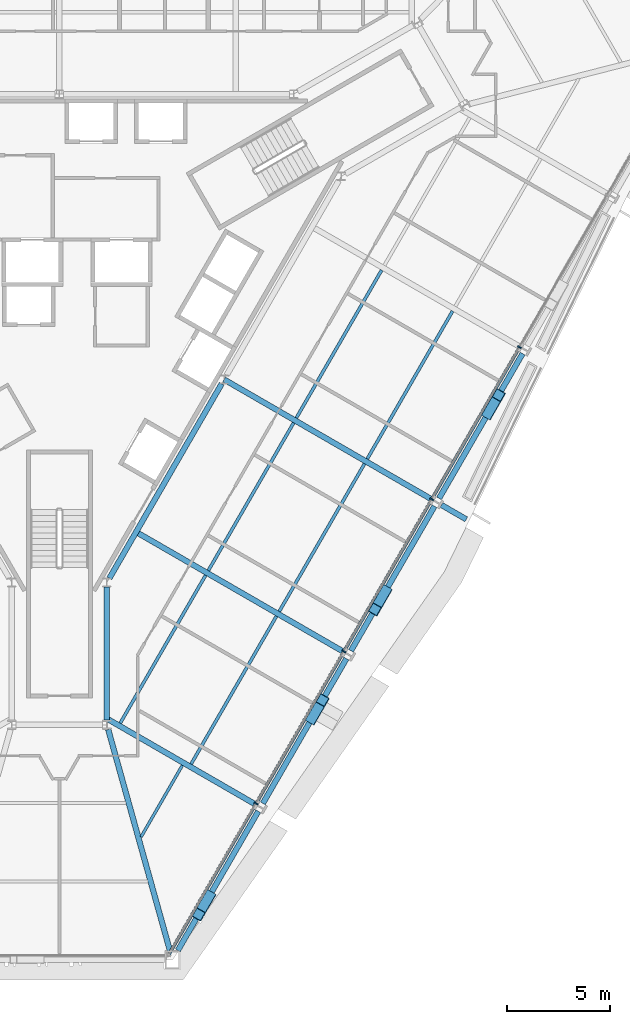
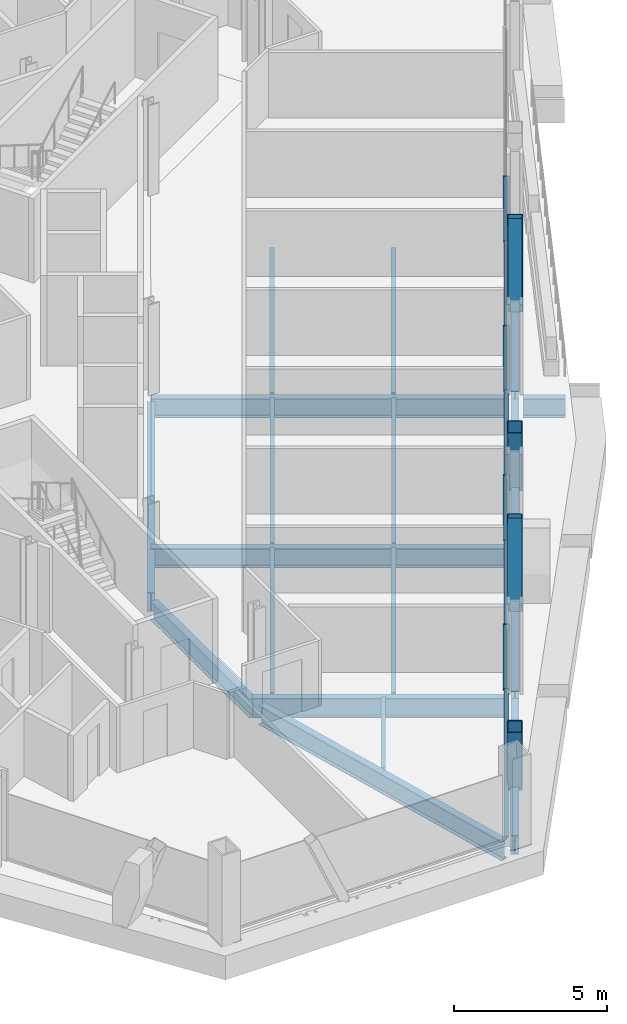
# One storey, part 4 of 17: 18 beams, 12 members, 1 element without a shape of its own.
"""IFC4 building model written with IfcOpenShell, lengths in metres."""

from ifc_helpers import new_model, si_unit, direction, frame, origin, origin_2d, place, context, subcontext, project, spatial, rectangle, hollow_rectangle, i_section, extrude, material, material_profile, profile_set, type_object, element, aggregate, save


model = new_model("IFC4")

# Units and contexts
model_context = context("Model", 3, precision=1e-05, world=origin(), true_north=direction((0.0, 1.0)))
body_context = subcontext(model_context, "Body", "Model", "MODEL_VIEW")
ifc_project = project(units=[si_unit("LENGTHUNIT", "METRE"), si_unit("AREAUNIT", "SQUARE_METRE"), si_unit("VOLUMEUNIT", "CUBIC_METRE"), si_unit("PLANEANGLEUNIT", "RADIAN"), si_unit("MASSUNIT", "GRAM", prefix="KILO")], contexts=[model_context])

# Site, building, storey
site_placement = place(None, origin())
site = spatial("IfcSite", under=ifc_project, at=site_placement, CompositionType="ELEMENT")
building_placement = place(site_placement, origin())
building = spatial("IfcBuilding", under=site, at=building_placement, Name="Verrane Prism Tower", CompositionType="ELEMENT")
storey_placement = place(building_placement, frame((0.0, 0.0, 51.199951171875)))
storey = spatial("IfcBuildingStorey", under=building, at=storey_placement, Name="L10", CompositionType="ELEMENT", Elevation=51.199951171875)

# Beams
ifc_material_1 = material(Name="Steel A992", Category="steel")
ifc_material_profile_1 = material_profile(ifc_material_1, i_section(OverallWidth=0.2666015625, OverallDepth=0.7568359375, WebThickness=0.013916015625, FlangeThickness=0.019287109375, FilletRadius=0.0166015625, at=origin_2d()), Name="W30x108")
ifc_profile_set_1 = profile_set([ifc_material_profile_1], Name="Steel A992")
beam_type_1 = type_object("IfcBeamType", Name="Core ring girder W30x108", PredefinedType="BEAM", material=ifc_profile_set_1)
beam_1_placement = place(storey_placement, frame((2.300048828125, -21.07275390625, -0.62841796875), z_axis=(0.0, 1.0, 0.0), x_axis=(-1.0, 0.0, 0.0)))
element("IfcBeam", 1, at=beam_1_placement, inside=storey, type_object=beam_type_1, Name="Core ring girder L10", PredefinedType="BEAM", context=body_context, shape_type="SweptSolid", body=[
    extrude(i_section(OverallWidth=0.2666015625, OverallDepth=0.7568359375, WebThickness=0.013916015625, FlangeThickness=0.019287109375, FilletRadius=0.0166015625, at=origin_2d()), origin(), (0.0, 0.0, 1.0), 6.4443359375),
])
beam_2_placement = place(storey_placement, frame((2.42041015625, -14.211669921875, -0.62841796875), z_axis=(0.500013103396, 0.866017838403, 0.0), x_axis=(-0.866017838403, 0.500013103396, 0.0)))
element("IfcBeam", 2, at=beam_2_placement, inside=storey, type_object=beam_type_1, Name="Core ring girder L10", PredefinedType="BEAM", context=body_context, shape_type="SweptSolid", body=[
    extrude(i_section(OverallWidth=0.2666015625, OverallDepth=0.7568359375, WebThickness=0.013916015625, FlangeThickness=0.019287109375, FilletRadius=0.0166015625, at=origin_2d()), origin(), (0.0, 0.0, 1.0), 10.858154296875),
])
ifc_material_2 = material(Name="Steel A992", Category="steel")
ifc_material_profile_2 = material_profile(ifc_material_2, i_section(OverallWidth=0.2666015625, OverallDepth=0.76708984375, WebThickness=0.014892578125, FlangeThickness=0.023681640625, FilletRadius=0.0166015625, at=origin_2d()), Name="W30x124")
ifc_profile_set_2 = profile_set([ifc_material_profile_2], Name="Steel A992")
beam_type_2 = type_object("IfcBeamType", Name="Corner girder W30x124", PredefinedType="BEAM", material=ifc_profile_set_2)
beam_3_placement = place(storey_placement, frame((5.344482421875, -32.2099609375, -0.603515625), z_axis=(-0.268799442753, 0.963196168792, 0.0), x_axis=(-0.963196168792, -0.268799442753, 0.0)))
element("IfcBeam", 3, at=beam_3_placement, inside=storey, type_object=beam_type_2, Name="Corner girder L10", PredefinedType="BEAM", context=body_context, shape_type="SweptSolid", body=[
    extrude(i_section(OverallWidth=0.2666015625, OverallDepth=0.76708984375, WebThickness=0.014892578125, FlangeThickness=0.023681640625, FilletRadius=0.0166015625, at=origin_2d()), origin(), (0.0, 0.0, 1.0), 11.0908203125),
])

# Members
ifc_material_3 = material(Name="Steel A1085 Grade A", Category="steel")
ifc_material_profile_3 = material_profile(ifc_material_3, hollow_rectangle(XDim=0.508056640625, YDim=0.508056640625, WallThickness=0.025390625, InnerFilletRadius=0.0126953125, OuterFilletRadius=0.0380859375, at=origin_2d()), Name="HSS20x20x1")
ifc_profile_set_3 = profile_set([ifc_material_profile_3], Name="Steel A1085 Grade A")
member_type_1 = type_object("IfcMemberType", Name="Facade brace HSS20x20x1", PredefinedType="BRACE", material=ifc_profile_set_3)
member_1_placement = place(storey_placement, frame((7.24560546875, -29.587890625, -0.242431640625), z_axis=(-0.160092009059, -0.277123727497, 0.94740328704), x_axis=(0.865897450062, -0.500221556889, 0.0)))
element("IfcMember", 4, at=member_1_placement, inside=storey, type_object=member_type_1, Name="Facade brace SE0 L10", PredefinedType="BRACE", context=body_context, shape_type="SweptSolid", body=[
    extrude(hollow_rectangle(XDim=0.508056640625, YDim=0.508056640625, WallThickness=0.025390625, InnerFilletRadius=0.0126953125, OuterFilletRadius=0.0380859375, at=origin_2d()), origin(), (0.0, 0.0, 1.0), 3.175048828125),
])
member_2_placement = place(storey_placement, frame((12.21435546875, -20.986083984375, -0.242431640625), z_axis=(0.160153272849, 0.277404228727, 0.947310837624), x_axis=(-0.866033694824, 0.499985639223, 0.0)))
element("IfcMember", 5, at=member_2_placement, inside=storey, type_object=member_type_1, Name="Facade brace SE1 L10", PredefinedType="BRACE", context=body_context, shape_type="SweptSolid", body=[
    extrude(hollow_rectangle(XDim=0.508056640625, YDim=0.508056640625, WallThickness=0.025390625, InnerFilletRadius=0.0126953125, OuterFilletRadius=0.0380859375, at=origin_2d()), origin(), (0.0, 0.0, 1.0), 3.17529296875),
])
member_3_placement = place(storey_placement, frame((15.765625, -14.837890625, -0.242431640625), z_axis=(-0.160166930316, -0.277120315344, 0.947391621906), x_axis=(0.865793377433, -0.500401666258, 0.0)))
element("IfcMember", 6, at=member_3_placement, inside=storey, type_object=member_type_1, Name="Facade brace SE2 L10", PredefinedType="BRACE", context=body_context, shape_type="SweptSolid", body=[
    extrude(hollow_rectangle(XDim=0.508056640625, YDim=0.508056640625, WallThickness=0.025390625, InnerFilletRadius=0.0126953125, OuterFilletRadius=0.0380859375, at=origin_2d()), origin(), (0.0, 0.0, 1.0), 3.175048828125),
])
member_4_placement = place(storey_placement, frame((20.734375, -6.236083984375, -0.242431640625), z_axis=(0.160153272849, 0.277404228727, 0.947310837624), x_axis=(-0.866033694824, 0.499985639223, 0.0)))
element("IfcMember", 7, at=member_4_placement, inside=storey, type_object=member_type_1, Name="Facade brace SE3 L10", PredefinedType="BRACE", context=body_context, shape_type="SweptSolid", body=[
    extrude(hollow_rectangle(XDim=0.508056640625, YDim=0.508056640625, WallThickness=0.025390625, InnerFilletRadius=0.0126953125, OuterFilletRadius=0.0380859375, at=origin_2d()), origin(), (0.0, 0.0, 1.0), 3.17529296875),
])

# Beams
ifc_material_4 = material(Name="Steel A992", Category="steel")
ifc_material_profile_4 = material_profile(ifc_material_4, i_section(OverallWidth=0.140380859375, OverallDepth=0.40380859375, WebThickness=0.007080078125, FlangeThickness=0.01123046875, FilletRadius=0.01025390625, at=origin_2d()), Name="W16x31")
ifc_profile_set_4 = profile_set([ifc_material_profile_4], Name="Steel A992")
beam_type_3 = type_object("IfcBeamType", Name="Floor beam W16x31", PredefinedType="BEAM", material=ifc_profile_set_4)
beam_4_placement = place(storey_placement, frame((3.950927734375, -26.719970703125, -0.36181640625), z_axis=(0.499997556188, 0.866026814715, 0.0), x_axis=(-0.866026814715, 0.499997556188, 0.0)))
element("IfcBeam", 8, at=beam_4_placement, inside=storey, type_object=beam_type_3, Name="Floor beam L10", PredefinedType="BEAM", context=body_context, shape_type="SweptSolid", body=[
    extrude(i_section(OverallWidth=0.140380859375, OverallDepth=0.40380859375, WebThickness=0.007080078125, FlangeThickness=0.01123046875, FilletRadius=0.01025390625, at=origin_2d()), origin(), (0.0, 0.0, 1.0), 3.99462890625),
])
ifc_material_5 = material(Name="Steel A992", Category="steel")
ifc_material_profile_5 = material_profile(ifc_material_5, i_section(OverallWidth=0.15234375, OverallDepth=0.449462890625, WebThickness=0.007568359375, FlangeThickness=0.0107421875, FilletRadius=0.01025390625, at=origin_2d()), Name="W18x35")
ifc_profile_set_5 = profile_set([ifc_material_profile_5], Name="Steel A992")
beam_type_4 = type_object("IfcBeamType", Name="Floor beam W18x35", PredefinedType="BEAM", material=ifc_profile_set_5)
beam_5_placement = place(storey_placement, frame((6.370361328125, -23.196044921875, -0.384765625), z_axis=(0.499992194788, 0.866029910079, 0.0), x_axis=(-0.866029910079, 0.499992194788, 0.0)))
element("IfcBeam", 9, at=beam_5_placement, inside=storey, type_object=beam_type_4, Name="Floor beam L10", PredefinedType="BEAM", context=body_context, shape_type="SweptSolid", body=[
    extrude(i_section(OverallWidth=0.15234375, OverallDepth=0.449462890625, WebThickness=0.007568359375, FlangeThickness=0.0107421875, FilletRadius=0.01025390625, at=origin_2d()), origin(), (0.0, 0.0, 1.0), 8.252685546875),
])
beam_6_placement = place(storey_placement, frame((2.944091796875, -21.2177734375, -0.384765625), z_axis=(0.499989680267, 0.866031361803, 0.0), x_axis=(-0.866031361803, 0.499989680267, 0.0)))
element("IfcBeam", 10, at=beam_6_placement, inside=storey, type_object=beam_type_4, Name="Floor beam L10", PredefinedType="BEAM", context=body_context, shape_type="SweptSolid", body=[
    extrude(i_section(OverallWidth=0.15234375, OverallDepth=0.449462890625, WebThickness=0.007568359375, FlangeThickness=0.0107421875, FilletRadius=0.01025390625, at=origin_2d()), origin(), (0.0, 0.0, 1.0), 8.251220703125),
])
beam_7_placement = place(storey_placement, frame((10.63232421875, -15.819091796875, -0.384765625), z_axis=(0.499994031393, 0.866028849734, 0.0), x_axis=(-0.866028849734, 0.499994031393, 0.0)))
element("IfcBeam", 11, at=beam_7_placement, inside=storey, type_object=beam_type_4, Name="Floor beam L10", PredefinedType="BEAM", context=body_context, shape_type="SweptSolid", body=[
    extrude(i_section(OverallWidth=0.15234375, OverallDepth=0.449462890625, WebThickness=0.007568359375, FlangeThickness=0.0107421875, FilletRadius=0.01025390625, at=origin_2d()), origin(), (0.0, 0.0, 1.0), 8.24853515625),
])
beam_8_placement = place(storey_placement, frame((7.2041015625, -13.841552734375, -0.384765625), z_axis=(0.499999059579, 0.866025946736, 0.0), x_axis=(-0.866025946736, 0.499999059579, 0.0)))
element("IfcBeam", 12, at=beam_8_placement, inside=storey, type_object=beam_type_4, Name="Floor beam L10", PredefinedType="BEAM", context=body_context, shape_type="SweptSolid", body=[
    extrude(i_section(OverallWidth=0.15234375, OverallDepth=0.449462890625, WebThickness=0.007568359375, FlangeThickness=0.0107421875, FilletRadius=0.01025390625, at=origin_2d()), origin(), (0.0, 0.0, 1.0), 8.25146484375),
])
beam_9_placement = place(storey_placement, frame((14.887451171875, -8.44287109375, -0.384765625), z_axis=(0.499992194788, 0.866029910079, 0.0), x_axis=(-0.866029910079, 0.499992194788, 0.0)))
element("IfcBeam", 13, at=beam_9_placement, inside=storey, type_object=beam_type_4, Name="Floor beam L10", PredefinedType="BEAM", context=body_context, shape_type="SweptSolid", body=[
    extrude(i_section(OverallWidth=0.15234375, OverallDepth=0.449462890625, WebThickness=0.007568359375, FlangeThickness=0.0107421875, FilletRadius=0.01025390625, at=origin_2d()), origin(), (0.0, 0.0, 1.0), 8.252685546875),
])
beam_10_placement = place(storey_placement, frame((11.4580078125, -6.461181640625, -0.384765625), z_axis=(0.500002492643, 0.866023964651, 0.0), x_axis=(-0.866023964651, 0.500002492643, 0.0)))
element("IfcBeam", 14, at=beam_10_placement, inside=storey, type_object=beam_type_4, Name="Floor beam L10", PredefinedType="BEAM", context=body_context, shape_type="SweptSolid", body=[
    extrude(i_section(OverallWidth=0.15234375, OverallDepth=0.449462890625, WebThickness=0.007568359375, FlangeThickness=0.0107421875, FilletRadius=0.01025390625, at=origin_2d()), origin(), (0.0, 0.0, 1.0), 8.2509765625),
])

# Curtain wall, members
ifc_material_6 = material(Name="Aluminium framed insulated glazing", Category="aluminium")
curtain_wall_type = type_object("IfcCurtainWallType", Name="Curtain wall CW-A 8400 module", PredefinedType="NOTDEFINED", material=ifc_material_6)
curtain_wall_placement = place(storey_placement, origin())
curtain_wall = element("IfcCurtainWall", 15, at=curtain_wall_placement, inside=storey, type_object=curtain_wall_type, Name="Glazed curtain wall south-east face L10", PredefinedType="NOTDEFINED")
ifc_material_7 = material(Name="Aluminium alloy 6063-T6", Category="aluminium")
ifc_material_profile_6 = material_profile(ifc_material_7, rectangle(XDim=0.199951171875, YDim=0.070068359375, at=origin_2d()), Name="Mullion 70x200 aluminium")
ifc_profile_set_6 = profile_set([ifc_material_profile_6], Name="Aluminium alloy 6063-T6")
member_type_2 = type_object("IfcMemberType", Name="Mullion 70x200 aluminium", PredefinedType="MULLION", material=ifc_profile_set_6)
member_5_placement = place(storey_placement, frame((9.513671875, -25.103515625, 0.0), z_axis=(0.0, 0.0, 1.0), x_axis=(-0.866025694591, 0.499999496308, 0.0)))
member_5 = element("IfcMember", 16, at=member_5_placement, type_object=member_type_2, Name="CW09.6 mullion 2", PredefinedType="MULLION", context=body_context, shape_type="SweptSolid", body=[
    extrude(rectangle(XDim=0.199951171875, YDim=0.070068359375, at=origin_2d()), origin(), (0.0, 0.0, 1.0), 2.613037109375),
])
member_6_placement = place(storey_placement, frame((13.759521484375, -17.74951171875, 0.0), z_axis=(0.0, 0.0, 1.0), x_axis=(-0.866025694591, 0.499999496308, 0.0)))
member_6 = element("IfcMember", 17, at=member_6_placement, type_object=member_type_2, Name="CW09.6 mullion 3", PredefinedType="MULLION", context=body_context, shape_type="SweptSolid", body=[
    extrude(rectangle(XDim=0.199951171875, YDim=0.070068359375, at=origin_2d()), origin(), (0.0, 0.0, 1.0), 2.613037109375),
])
member_7_placement = place(storey_placement, frame((18.005615234375, -10.3955078125, 0.0), z_axis=(0.0, 0.0, 1.0), x_axis=(-0.866025694591, 0.499999496308, 0.0)))
member_7 = element("IfcMember", 18, at=member_7_placement, type_object=member_type_2, Name="CW09.6 mullion 4", PredefinedType="MULLION", context=body_context, shape_type="SweptSolid", body=[
    extrude(rectangle(XDim=0.199951171875, YDim=0.070068359375, at=origin_2d()), origin(), (0.0, 0.0, 1.0), 2.613037109375),
])
member_8_placement = place(storey_placement, frame((22.25146484375, -3.04150390625, 0.0), z_axis=(0.0, 0.0, 1.0), x_axis=(-0.866025694591, 0.499999496308, 0.0)))
member_8 = element("IfcMember", 19, at=member_8_placement, type_object=member_type_2, Name="CW09.6 mullion 5", PredefinedType="MULLION", context=body_context, shape_type="SweptSolid", body=[
    extrude(rectangle(XDim=0.199951171875, YDim=0.070068359375, at=origin_2d()), origin(), (0.0, 0.0, 1.0), 2.613037109375),
])

# Beams
ifc_material_8 = material(Name="Steel A992", Category="steel")
ifc_material_profile_7 = material_profile(ifc_material_8, i_section(OverallWidth=0.2666015625, OverallDepth=0.76708984375, WebThickness=0.014892578125, FlangeThickness=0.023681640625, FilletRadius=0.0166015625, at=origin_2d()), Name="W30x124")
ifc_profile_set_7 = profile_set([ifc_material_profile_7], Name="Steel A992")
beam_type_5 = type_object("IfcBeamType", Name="Radial girder W30x124", PredefinedType="BEAM", material=ifc_profile_set_7)
beam_11_placement = place(storey_placement, frame((9.5, -25.1572265625, -0.603515625), z_axis=(-0.86602078527, 0.500007999416, 0.0), x_axis=(-0.500007999416, -0.86602078527, 0.0)))
element("IfcBeam", 20, at=beam_11_placement, inside=storey, type_object=beam_type_5, Name="Radial girder L10", PredefinedType="BEAM", context=body_context, shape_type="SweptSolid", body=[
    extrude(i_section(OverallWidth=0.2666015625, OverallDepth=0.76708984375, WebThickness=0.014892578125, FlangeThickness=0.023681640625, FilletRadius=0.0166015625, at=origin_2d()), origin(), (0.0, 0.0, 1.0), 8.313720703125),
])
beam_12_placement = place(storey_placement, frame((13.760009765625, -17.77734375, -0.603515625), z_axis=(-0.86601774804, 0.500013259905, 0.0), x_axis=(-0.500013259905, -0.86601774804, 0.0)))
element("IfcBeam", 21, at=beam_12_placement, inside=storey, type_object=beam_type_5, Name="Radial girder L10", PredefinedType="BEAM", context=body_context, shape_type="SweptSolid", body=[
    extrude(i_section(OverallWidth=0.2666015625, OverallDepth=0.76708984375, WebThickness=0.014892578125, FlangeThickness=0.023681640625, FilletRadius=0.0166015625, at=origin_2d()), origin(), (0.0, 0.0, 1.0), 11.603271484375),
])
beam_13_placement = place(storey_placement, frame((18.02001953125, -10.4072265625, -0.603515625), z_axis=(-0.866018505729, 0.500011947592, 0.0), x_axis=(-0.500011947592, -0.866018505729, 0.0)))
element("IfcBeam", 22, at=beam_13_placement, inside=storey, type_object=beam_type_5, Name="Radial girder L10", PredefinedType="BEAM", context=body_context, shape_type="SweptSolid", body=[
    extrude(i_section(OverallWidth=0.2666015625, OverallDepth=0.76708984375, WebThickness=0.014892578125, FlangeThickness=0.023681640625, FilletRadius=0.0166015625, at=origin_2d()), origin(), (0.0, 0.0, 1.0), 11.607177734375),
])
beam_14_placement = place(storey_placement, frame((18.476318359375, -10.670654296875, -0.603515625), z_axis=(0.866047903128, -0.499961027969, 0.0), x_axis=(0.499961027969, 0.866047903128, 0.0)))
element("IfcBeam", 23, at=beam_14_placement, inside=storey, type_object=beam_type_5, Name="Cantilever girder L10", PredefinedType="BEAM", context=body_context, shape_type="SweptSolid", body=[
    extrude(i_section(OverallWidth=0.2666015625, OverallDepth=0.76708984375, WebThickness=0.014892578125, FlangeThickness=0.023681640625, FilletRadius=0.0166015625, at=origin_2d()), origin(), (0.0, 0.0, 1.0), 1.3876953125),
])
ifc_material_9 = material(Name="Steel A992", Category="steel")
ifc_material_profile_8 = material_profile(ifc_material_9, i_section(OverallWidth=0.2666015625, OverallDepth=0.7568359375, WebThickness=0.013916015625, FlangeThickness=0.019287109375, FilletRadius=0.0166015625, at=origin_2d()), Name="W30x108")
ifc_profile_set_8 = profile_set([ifc_material_profile_8], Name="Steel A992")
beam_type_6 = type_object("IfcBeamType", Name="Spandrel beam W30x108", PredefinedType="SPANDREL", material=ifc_profile_set_8)
beam_15_placement = place(storey_placement, frame((5.72998046875, -32.2099609375, -0.538330078125), z_axis=(0.500439305817, 0.865771621846, 0.0), x_axis=(-0.865771621846, 0.500439305817, 0.0)))
element("IfcBeam", 24, at=beam_15_placement, inside=storey, type_object=beam_type_6, Name="Spandrel beam L10", PredefinedType="SPANDREL", context=body_context, shape_type="SweptSolid", body=[
    extrude(i_section(OverallWidth=0.2666015625, OverallDepth=0.7568359375, WebThickness=0.013916015625, FlangeThickness=0.019287109375, FilletRadius=0.0166015625, at=origin_2d()), origin(), (0.0, 0.0, 1.0), 7.77197265625),
])
beam_16_placement = place(storey_placement, frame((9.840576171875, -25.0986328125, -0.538330078125), z_axis=(0.499899459246, 0.866083443235, 0.0), x_axis=(-0.866083443235, 0.499899459246, 0.0)))
element("IfcBeam", 25, at=beam_16_placement, inside=storey, type_object=beam_type_6, Name="Spandrel beam L10", PredefinedType="SPANDREL", context=body_context, shape_type="SweptSolid", body=[
    extrude(i_section(OverallWidth=0.2666015625, OverallDepth=0.7568359375, WebThickness=0.013916015625, FlangeThickness=0.019287109375, FilletRadius=0.0166015625, at=origin_2d()), origin(), (0.0, 0.0, 1.0), 8.079345703125),
])
beam_17_placement = place(storey_placement, frame((14.1005859375, -17.71875, -0.538330078125), z_axis=(0.500423240289, 0.865780907955, 0.0), x_axis=(-0.865780907955, 0.500423240289, 0.0)))
element("IfcBeam", 26, at=beam_17_placement, inside=storey, type_object=beam_type_6, Name="Spandrel beam L10", PredefinedType="SPANDREL", context=body_context, shape_type="SweptSolid", body=[
    extrude(i_section(OverallWidth=0.2666015625, OverallDepth=0.7568359375, WebThickness=0.013916015625, FlangeThickness=0.019287109375, FilletRadius=0.0166015625, at=origin_2d()), origin(), (0.0, 0.0, 1.0), 8.07080078125),
])
beam_18_placement = place(storey_placement, frame((18.360595703125, -10.3486328125, -0.538330078125), z_axis=(0.499899459246, 0.866083443235, 0.0), x_axis=(-0.866083443235, 0.499899459246, 0.0)))
element("IfcBeam", 27, at=beam_18_placement, inside=storey, type_object=beam_type_6, Name="Spandrel beam L10", PredefinedType="SPANDREL", context=body_context, shape_type="SweptSolid", body=[
    extrude(i_section(OverallWidth=0.2666015625, OverallDepth=0.7568359375, WebThickness=0.013916015625, FlangeThickness=0.019287109375, FilletRadius=0.0166015625, at=origin_2d()), origin(), (0.0, 0.0, 1.0), 8.079345703125),
])

# Member
ifc_material_10 = material(Name="Aluminium alloy 6063-T6", Category="aluminium")
ifc_material_profile_9 = material_profile(ifc_material_10, rectangle(XDim=0.14990234375, YDim=0.070068359375, at=origin_2d()), Name="Transom 70x150 aluminium")
ifc_profile_set_9 = profile_set([ifc_material_profile_9], Name="Aluminium alloy 6063-T6")
member_type_3 = type_object("IfcMemberType", Name="Transom 70x150 aluminium", PredefinedType="USERDEFINED", material=ifc_profile_set_9)
member_9_placement = place(storey_placement, frame((5.302978515625, -32.39697265625, 0.03515625), z_axis=(0.500008882625, 0.866020275338, 0.0), x_axis=(-0.866020275338, 0.500008882625, 0.0)))
member_9 = element("IfcMember", 28, at=member_9_placement, type_object=member_type_3, Name="CW09.6 transom 1", ObjectType="TRANSOM", PredefinedType="USERDEFINED", context=body_context, shape_type="SweptSolid", body=[
    extrude(rectangle(XDim=0.14990234375, YDim=0.070068359375, at=origin_2d()), origin(), (0.0, 0.0, 1.0), 8.386474609375),
])

member_10_placement = place(storey_placement, frame((9.53125, -25.0732421875, 0.03515625), z_axis=(0.500005175824, 0.866022415501, 0.0), x_axis=(-0.866022415501, 0.500005175824, 0.0)))
member_10 = element("IfcMember", 29, at=member_10_placement, type_object=member_type_3, Name="CW09.6 transom 2", ObjectType="TRANSOM", PredefinedType="USERDEFINED", context=body_context, shape_type="SweptSolid", body=[
    extrude(rectangle(XDim=0.14990234375, YDim=0.070068359375, at=origin_2d()), origin(), (0.0, 0.0, 1.0), 8.421875),
])

member_11_placement = place(storey_placement, frame((13.777099609375, -17.71923828125, 0.03515625), z_axis=(0.500005175824, 0.866022415501, 0.0), x_axis=(-0.866022415501, 0.500005175824, 0.0)))
member_11 = element("IfcMember", 30, at=member_11_placement, type_object=member_type_3, Name="CW09.6 transom 3", ObjectType="TRANSOM", PredefinedType="USERDEFINED", context=body_context, shape_type="SweptSolid", body=[
    extrude(rectangle(XDim=0.14990234375, YDim=0.070068359375, at=origin_2d()), origin(), (0.0, 0.0, 1.0), 8.421875),
])

member_12_placement = place(storey_placement, frame((18.02294921875, -10.365234375, 0.03515625), z_axis=(0.500005175824, 0.866022415501, 0.0), x_axis=(-0.866022415501, 0.500005175824, 0.0)))
member_12 = element("IfcMember", 31, at=member_12_placement, type_object=member_type_3, Name="CW09.6 transom 4", ObjectType="TRANSOM", PredefinedType="USERDEFINED", context=body_context, shape_type="SweptSolid", body=[
    extrude(rectangle(XDim=0.14990234375, YDim=0.070068359375, at=origin_2d()), origin(), (0.0, 0.0, 1.0), 8.421875),
])

aggregate(curtain_wall, [member_5, member_6, member_7, member_8, member_9, member_10, member_11, member_12])

save(model, "model.ifc")
